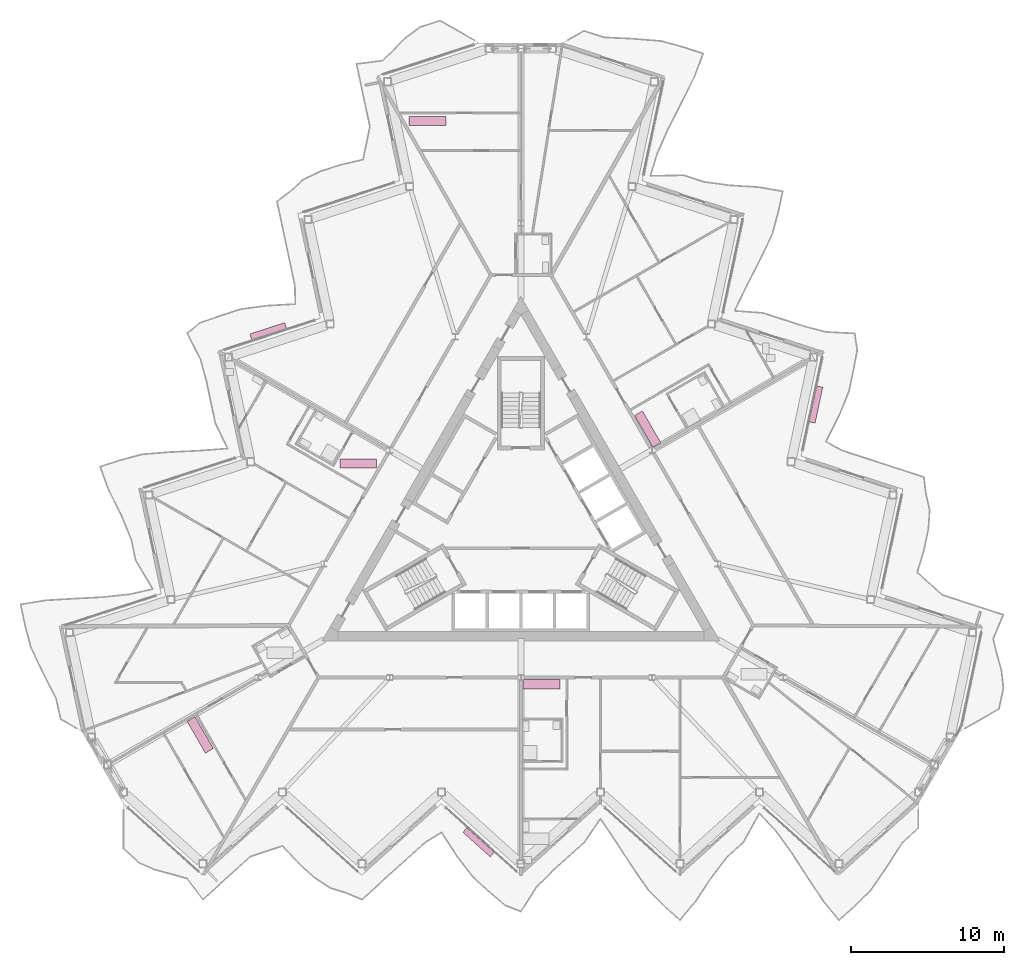
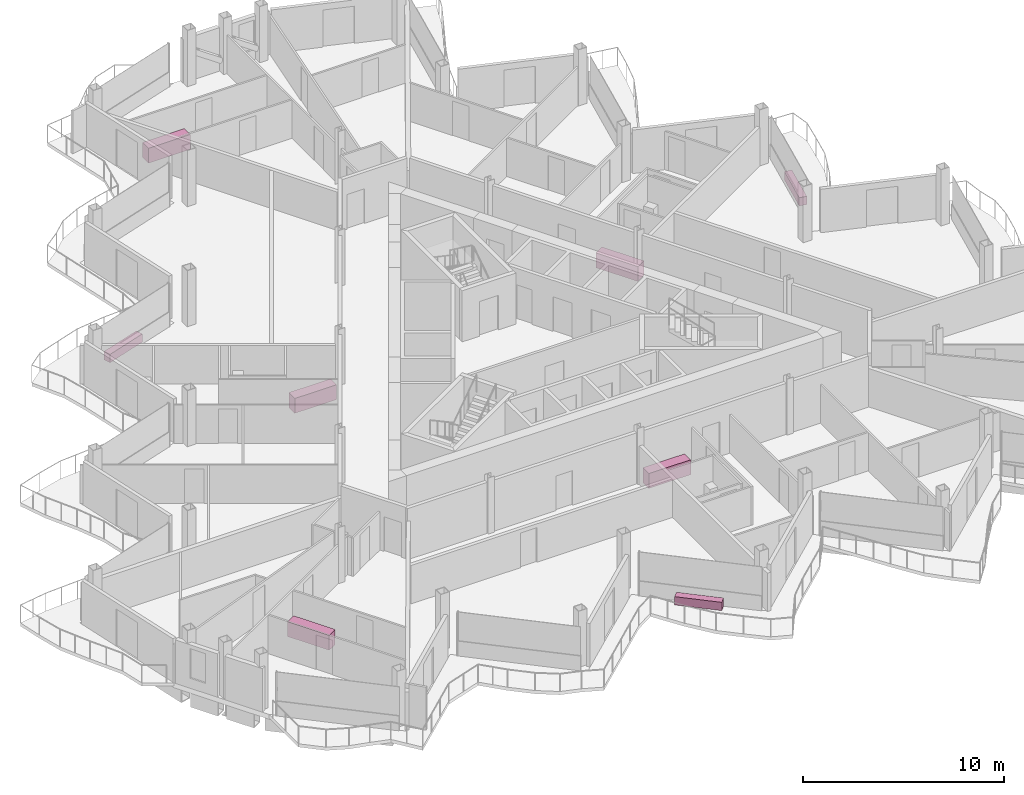
# One storey, part 27 of 27: 8 furniture elements.
"""IFC4 building model written with IfcOpenShell, lengths in metres."""

from ifc_helpers import new_model, si_unit, direction, frame, origin, origin_2d, place, context, subcontext, project, spatial, rectangle, extrude, material, type_object, element, save


model = new_model("IFC4")

# Units and contexts
model_context = context("Model", 3, precision=1e-05, world=origin(), true_north=direction((0.0, 1.0)))
body_context = subcontext(model_context, "Body", "Model", "MODEL_VIEW")
ifc_project = project(units=[si_unit("LENGTHUNIT", "METRE"), si_unit("AREAUNIT", "SQUARE_METRE"), si_unit("VOLUMEUNIT", "CUBIC_METRE"), si_unit("PLANEANGLEUNIT", "RADIAN"), si_unit("MASSUNIT", "GRAM", prefix="KILO")], contexts=[model_context])

# Site, building, storey
site_placement = place(None, origin())
site = spatial("IfcSite", under=ifc_project, at=site_placement, CompositionType="ELEMENT")
building_placement = place(site_placement, origin())
building = spatial("IfcBuilding", under=site, at=building_placement, Name="Cormorant Prow Tower", CompositionType="ELEMENT")
storey_placement = place(building_placement, frame((0.0, 0.0, 361.0)))
storey = spatial("IfcBuildingStorey", under=building, at=storey_placement, Name="L80", CompositionType="ELEMENT", Elevation=361.0)

# Furniture
ifc_material_1 = material(Name="Terracotta", Category="masonry")
furniture_type_1 = type_object("IfcFurnitureType", Name="Balcony planter 2400x400x500", AssemblyPlace="NOTDEFINED", PredefinedType="USERDEFINED", material=ifc_material_1)
for number, where, z_axis, x_axis, name in (
    (1, (-2.767333984375, -20.68408203125, 0.0), (0.0, 0.0, 1.0), (0.743144756574, -0.669130682884, 0.0), "Balcony planter S04"),
    (2, (19.296630859375, 7.945556640625, 0.0), (0.0, 0.0, 1.0), (0.207911756835, 0.978147586701, 0.0), "Balcony planter ENE04"),
    (3, (-16.529296875, 12.738525390625, 0.0), (0.0, 0.0, 1.0), (-0.951056548553, -0.309016895096, 0.0), "Balcony planter WNW04"),
):
    element("IfcFurniture", number, at=place(storey_placement, frame(where, z_axis=z_axis, x_axis=x_axis)), inside=storey, type_object=furniture_type_1, Name=name, ObjectType="PLANTER", PredefinedType="USERDEFINED", context=body_context, shape_type="SweptSolid", body=[
        extrude(rectangle(XDim=2.39990234375, YDim=0.39990234375, at=origin_2d()), origin(), (0.0, 0.0, 1.0), 0.5),
    ])
ifc_material_2 = material(Name="Timber joinery", Category="wood")
furniture_type_2 = type_object("IfcFurnitureType", Name="Kitchen counter 2400x600", AssemblyPlace="NOTDEFINED", PredefinedType="NOTDEFINED", material=ifc_material_2)
for number, where, z_axis, x_axis, name in (
    (4, (1.344970703125, -10.3505859375, 0.0), (0.0, 0.0, 1.0), (1.0, 0.0, 0.0), "Kitchen counter"),
    (5, (8.291259765625, 6.340087890625, 0.0), (0.0, 0.0, 1.0), (-0.5, 0.866025403784, 0.0), "Kitchen counter"),
    (6, (-6.108642578125, 26.494384765625, 0.0), (0.0, 0.0, 1.0), (1.0, 0.0, 0.0), "Kitchen counter"),
    (7, (-10.644775390625, 4.08447265625, 0.0), (0.0, 0.0, 1.0), (1.0, 0.0, 0.0), "Kitchen counter"),
    (8, (-20.973388671875, -13.662109375, 0.0), (0.0, 0.0, 1.0), (0.5, -0.866025403784, 0.0), "Kitchen counter"),
):
    element("IfcFurniture", number, at=place(storey_placement, frame(where, z_axis=z_axis, x_axis=x_axis)), inside=storey, type_object=furniture_type_2, Name=name, PredefinedType="NOTDEFINED", context=body_context, shape_type="SweptSolid", body=[
        extrude(rectangle(XDim=2.39990234375, YDim=0.60009765625, at=origin_2d()), origin(), (0.0, 0.0, 1.0), 0.89990234375),
    ])

save(model, "model.ifc")
